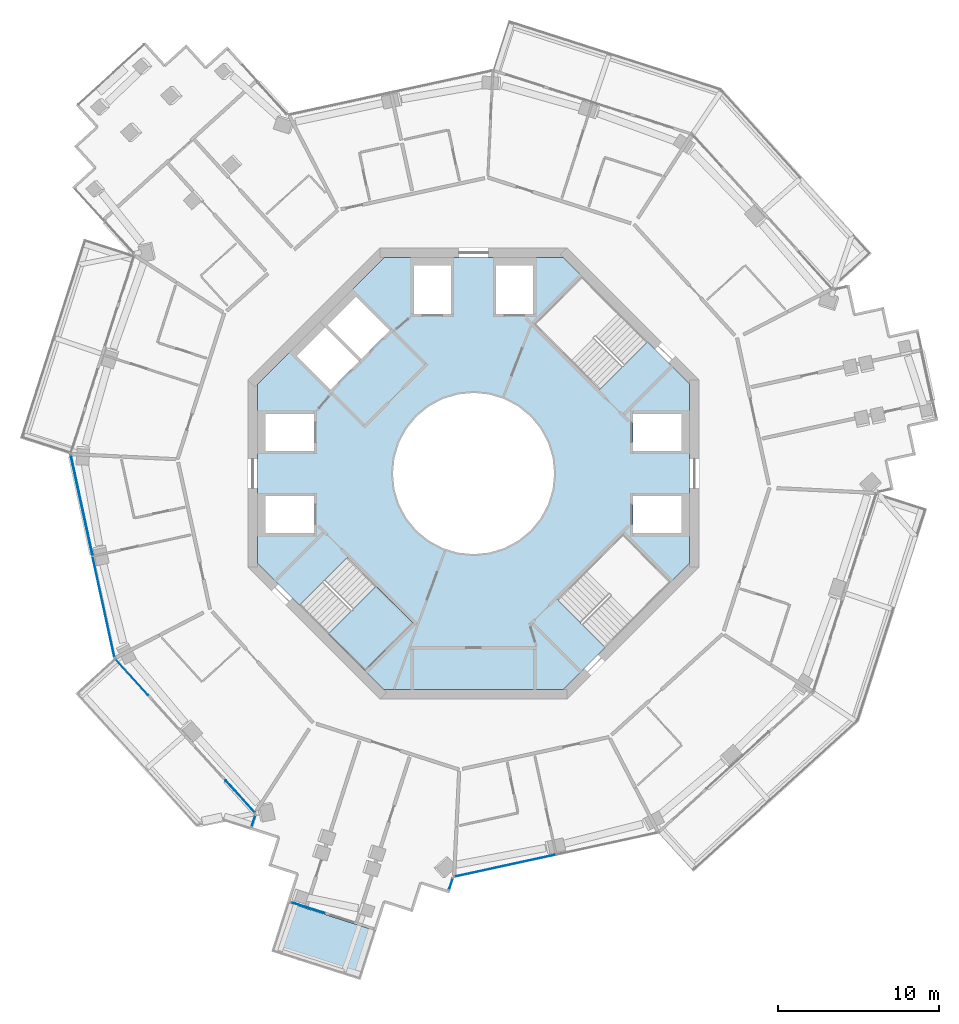
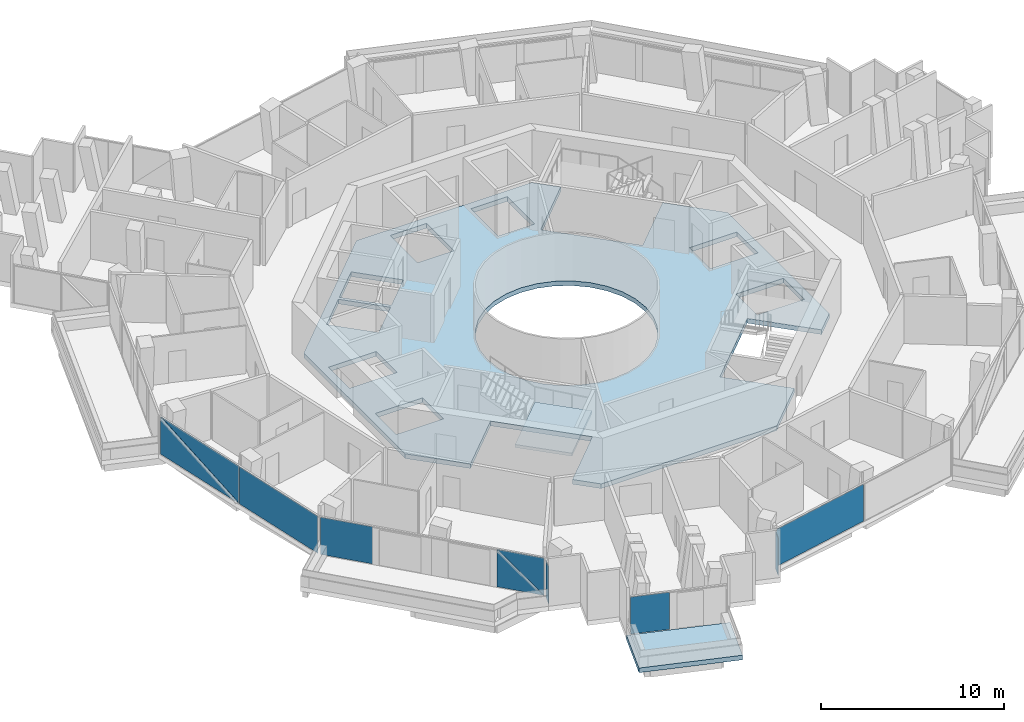
# One storey, part 11 of 23: 10 plates, 3 slabs, 7 elements without a shape of their own.
"""IFC4 building model written with IfcOpenShell, lengths in metres."""

from ifc_helpers import new_model, si_unit, direction, frame, origin, origin_2d, place, context, subcontext, project, spatial, polyline, rectangle, outline, extrude, material, layer, layer_set, type_object, element, aggregate, save


model = new_model("IFC4")

# Units and contexts
model_context = context("Model", 3, precision=1e-05, world=origin(), true_north=direction((0.0, 1.0)))
body_context = subcontext(model_context, "Body", "Model", "MODEL_VIEW")
ifc_project = project(units=[si_unit("LENGTHUNIT", "METRE"), si_unit("AREAUNIT", "SQUARE_METRE"), si_unit("VOLUMEUNIT", "CUBIC_METRE"), si_unit("PLANEANGLEUNIT", "RADIAN"), si_unit("MASSUNIT", "GRAM", prefix="KILO")], contexts=[model_context])

# Site, building, storey
site_placement = place(None, origin())
site = spatial("IfcSite", under=ifc_project, at=site_placement, CompositionType="ELEMENT")
building_placement = place(site_placement, origin())
building = spatial("IfcBuilding", under=site, at=building_placement, Name="Verdalira Terraces Hotel", CompositionType="ELEMENT")
storey_placement = place(building_placement, frame((0.0, 0.0, 205.5)))
storey = spatial("IfcBuildingStorey", under=building, at=storey_placement, Name="L50", CompositionType="ELEMENT", Elevation=205.5)

# Slab
ifc_material_1 = material(Name="Precast concrete C40/50", Category="concrete")
ifc_layer_1 = layer(ifc_material_1, 0.31005859375)
ifc_layer_set_1 = layer_set([ifc_layer_1], Name="Balcony deck 310")
slab_type_1 = type_object("IfcSlabType", Name="Balcony deck 310", PredefinedType="FLOOR", material=ifc_layer_set_1)
slab_1_placement = place(storey_placement, frame((0.0, 0.0, -0.310059)))
element("IfcSlab", 1, at=slab_1_placement, inside=storey, type_object=slab_type_1, Name="Balcony deck", PredefinedType="FLOOR", context=body_context, shape_type="SweptSolid", body=[
    extrude(outline(polyline([(-7.01709, -31.415039), (-6.040771, -28.367676), (-11.564453, -26.598389), (-12.540527, -29.645996), (-7.01709, -31.415039)])), origin(), (0.0, 0.0, 1.0), 0.310059),
])

# Curtain wall, plates
ifc_material_2 = material(Name="Clear glass", Category="glass")
ifc_layer_2 = layer(ifc_material_2, 0.14990234375)
ifc_layer_set_2 = layer_set([ifc_layer_2], Name="CW1 curtain wall")
curtain_wall_type_1 = type_object("IfcCurtainWallType", Name="CW1 curtain wall", PredefinedType="NOTDEFINED", material=ifc_layer_set_2)
curtain_wall_1_placement = place(storey_placement, origin())
curtain_wall_1 = element("IfcCurtainWall", 2, at=curtain_wall_1_placement, inside=storey, type_object=curtain_wall_type_1, Name="CW1 curtain wall L50 edge 12", PredefinedType="NOTDEFINED")
ifc_material_3 = material(Name="Clear glass", Category="glass")
ifc_layer_3 = layer(ifc_material_3, 0.028076171875)
ifc_layer_set_3 = layer_set([ifc_layer_3], Name="CW1 glass unit 28")
plate_type_1 = type_object("IfcPlateType", Name="CW1 glass unit 28", PredefinedType="CURTAIN_PANEL", material=ifc_layer_set_3)
plate_1_placement = place(storey_placement, frame((-24.301514, -1.982178, 1.237549), z_axis=(-0.977268124, -0.21200711, 0.0), x_axis=(0.21200711, -0.977268124, 0.0)))
plate_1 = element("IfcPlate", 3, at=plate_1_placement, type_object=plate_type_1, Name="CW1 glass unit", PredefinedType="CURTAIN_PANEL", context=body_context, shape_type="SweptSolid", body=[
    extrude(outline(polyline([(-3.185059, -1.237549), (3.185059, -1.237549), (-3.185059, 1.237549), (-3.185059, -1.237549)])), origin(), (0.0, 0.0, 1.0), 0.028076),
])
plate_2_placement = place(storey_placement, frame((-24.273193, -1.976074, 1.237549), z_axis=(-0.977268124, -0.21200711, 0.0), x_axis=(0.21200711, -0.977268124, 0.0)))
plate_2 = element("IfcPlate", 4, at=plate_2_placement, type_object=plate_type_1, Name="CW1 glass unit", PredefinedType="CURTAIN_PANEL", context=body_context, shape_type="SweptSolid", body=[
    extrude(outline(polyline([(3.185059, -1.237549), (3.185059, 1.237549), (-3.185059, 1.237549), (3.185059, -1.237549)])), origin(), (0.0, 0.0, 1.0), 0.028076),
])
plate_3_placement = place(storey_placement, frame((-22.951904, -8.268799, 0.0), z_axis=(0.0, 0.0, 1.0), x_axis=(0.21200711, -0.977268124, 0.0)))
plate_3 = element("IfcPlate", 5, at=plate_3_placement, type_object=plate_type_1, Name="CW1 glass unit", PredefinedType="CURTAIN_PANEL", context=body_context, shape_type="SweptSolid", body=[
    extrude(rectangle(XDim=6.369873, YDim=0.028076, at=origin_2d()), origin(), (0.0, 0.0, 1.0), 2.475098),
])
aggregate(curtain_wall_1, [plate_1, plate_2, plate_3])

curtain_wall_2_placement = place(storey_placement, origin())
curtain_wall_2 = element("IfcCurtainWall", 6, at=curtain_wall_2_placement, inside=storey, type_object=curtain_wall_type_1, Name="CW1 curtain wall L50 edge 13", PredefinedType="NOTDEFINED")
plate_4_placement = place(storey_placement, frame((-21.197754, -12.629395, 0.0), z_axis=(0.0, 0.0, 1.0), x_axis=(0.672237605, -0.740335466, 0.0)))
plate_4 = element("IfcPlate", 7, at=plate_4_placement, type_object=plate_type_1, Name="CW1 glass unit", PredefinedType="CURTAIN_PANEL", context=body_context, shape_type="SweptSolid", body=[
    extrude(rectangle(XDim=2.999756, YDim=0.028076, at=origin_2d()), origin(), (0.0, 0.0, 1.0), 2.475098),
])
plate_5_placement = place(storey_placement, frame((-14.464355, -20.023682, 1.237549), z_axis=(-0.740335466, -0.672237605, 0.0), x_axis=(0.672237605, -0.740335466, 0.0)))
plate_5 = element("IfcPlate", 8, at=plate_5_placement, type_object=plate_type_1, Name="CW1 glass unit", PredefinedType="CURTAIN_PANEL", context=body_context, shape_type="SweptSolid", body=[
    extrude(outline(polyline([(-1.339355, -1.237549), (1.339355, -1.237549), (-1.339355, 1.237549), (-1.339355, -1.237549)])), origin(), (0.0, 0.0, 1.0), 0.028076),
])
plate_6_placement = place(storey_placement, frame((-14.442871, -20.00415, 1.237549), z_axis=(-0.740335466, -0.672237605, 0.0), x_axis=(0.672237605, -0.740335466, 0.0)))
plate_6 = element("IfcPlate", 9, at=plate_6_placement, type_object=plate_type_1, Name="CW1 glass unit", PredefinedType="CURTAIN_PANEL", context=body_context, shape_type="SweptSolid", body=[
    extrude(outline(polyline([(1.339355, -1.237549), (1.339355, 1.237549), (-1.339355, 1.237549), (1.339355, -1.237549)])), origin(), (0.0, 0.0, 1.0), 0.028076),
])
aggregate(curtain_wall_2, [plate_4, plate_5, plate_6])

# Curtain wall, plate
curtain_wall_3_placement = place(storey_placement, origin())
curtain_wall_3 = element("IfcCurtainWall", 10, at=curtain_wall_3_placement, inside=storey, type_object=curtain_wall_type_1, Name="CW1 curtain wall L50 edge 25", PredefinedType="NOTDEFINED")
plate_7_placement = place(storey_placement, frame((1.965576, -24.319336, 0.0), z_axis=(0.0, 0.0, 1.0), x_axis=(0.977268124, 0.21200711, 0.0)))
plate_7 = element("IfcPlate", 11, at=plate_7_placement, type_object=plate_type_1, Name="CW1 glass unit", PredefinedType="CURTAIN_PANEL", context=body_context, shape_type="SweptSolid", body=[
    extrude(rectangle(XDim=6.409912, YDim=0.028076, at=origin_2d()), origin(), (0.0, 0.0, 1.0), 2.475098),
])
aggregate(curtain_wall_3, [plate_7])

ifc_material_4 = material(Name="Clear glass", Category="glass")
ifc_layer_4 = layer(ifc_material_4, 0.14990234375)
ifc_layer_set_4 = layer_set([ifc_layer_4], Name="CW2 curtain wall")
curtain_wall_type_2 = type_object("IfcCurtainWallType", Name="CW2 curtain wall", PredefinedType="NOTDEFINED", material=ifc_layer_set_4)
curtain_wall_4_placement = place(storey_placement, origin())
curtain_wall_4 = element("IfcCurtainWall", 12, at=curtain_wall_4_placement, inside=storey, type_object=curtain_wall_type_2, Name="CW2 curtain wall L50 edge 14", PredefinedType="NOTDEFINED")
ifc_material_5 = material(Name="Clear glass", Category="glass")
ifc_layer_5 = layer(ifc_material_5, 0.031982421875)
ifc_layer_set_5 = layer_set([ifc_layer_5], Name="CW2 glass unit 32")
plate_type_2 = type_object("IfcPlateType", Name="CW2 glass unit 32", PredefinedType="CURTAIN_PANEL", material=ifc_layer_set_5)
plate_8_placement = place(storey_placement, frame((-13.647949, -21.547119, 0.0), z_axis=(0.0, 0.0, 1.0), x_axis=(-0.305030519, -0.952342576, 0.0)))
plate_8 = element("IfcPlate", 13, at=plate_8_placement, type_object=plate_type_2, Name="CW2 glass unit", PredefinedType="CURTAIN_PANEL", context=body_context, shape_type="SweptSolid", body=[
    extrude(rectangle(XDim=0.709961, YDim=0.031982, at=origin_2d()), origin(), (0.0, 0.0, 1.0), 2.475098),
])
aggregate(curtain_wall_4, [plate_8])

curtain_wall_5_placement = place(storey_placement, origin())
curtain_wall_5 = element("IfcCurtainWall", 14, at=curtain_wall_5_placement, inside=storey, type_object=curtain_wall_type_2, Name="CW2 curtain wall L50 edge 24", PredefinedType="NOTDEFINED")
plate_9_placement = place(storey_placement, frame((-1.4104, -25.466797, 0.0), z_axis=(0.0, 0.0, 1.0), x_axis=(0.305030519, 0.952342576, 0.0)))
plate_9 = element("IfcPlate", 15, at=plate_9_placement, type_object=plate_type_2, Name="CW2 glass unit", PredefinedType="CURTAIN_PANEL", context=body_context, shape_type="SweptSolid", body=[
    extrude(rectangle(XDim=0.709961, YDim=0.031982, at=origin_2d()), origin(), (0.0, 0.0, 1.0), 2.475098),
])
aggregate(curtain_wall_5, [plate_9])

ifc_material_6 = material(Name="Clear glass", Category="glass")
ifc_layer_6 = layer(ifc_material_6, 0.14990234375)
ifc_layer_set_6 = layer_set([ifc_layer_6], Name="CW3 curtain wall")
curtain_wall_type_3 = type_object("IfcCurtainWallType", Name="CW3 curtain wall", PredefinedType="NOTDEFINED", material=ifc_layer_set_6)
curtain_wall_6_placement = place(storey_placement, origin())
curtain_wall_6 = element("IfcCurtainWall", 16, at=curtain_wall_6_placement, inside=storey, type_object=curtain_wall_type_3, Name="CW3 curtain wall L50 edge 19", PredefinedType="NOTDEFINED")
ifc_material_7 = material(Name="Clear glass", Category="glass")
ifc_layer_7 = layer(ifc_material_7, 0.035888671875)
ifc_layer_set_7 = layer_set([ifc_layer_7], Name="CW3 glass unit 36")
plate_type_3 = type_object("IfcPlateType", Name="CW3 glass unit 36", PredefinedType="CURTAIN_PANEL", material=ifc_layer_set_7)
plate_10_placement = place(storey_placement, frame((-10.284424, -26.929688, 0.0), z_axis=(0.0, 0.0, 1.0), x_axis=(0.952342576, -0.305030519, 0.0)))
plate_10 = element("IfcPlate", 17, at=plate_10_placement, type_object=plate_type_3, Name="CW3 glass unit", PredefinedType="CURTAIN_PANEL", context=body_context, shape_type="SweptSolid", body=[
    extrude(rectangle(XDim=2.179932, YDim=0.035889, at=origin_2d()), origin(), (0.0, 0.0, 1.0), 2.475098),
])
aggregate(curtain_wall_6, [plate_10])

# Slab
ifc_material_8 = material(Name="Concrete C40", Category="concrete")
ifc_layer_8 = layer(ifc_material_8, 0.31005859375)
ifc_layer_set_8 = layer_set([ifc_layer_8], Name="Core floor slab 310 mm")
slab_type_2 = type_object("IfcSlabType", Name="Core floor slab 310 mm", PredefinedType="FLOOR", material=ifc_layer_set_8)
slab_2_placement = place(storey_placement, frame((0.0, 0.0, -0.310059)))
element("IfcSlab", 18, at=slab_2_placement, inside=storey, type_object=slab_type_2, Name="L50 core floor", PredefinedType="FLOOR", context=body_context, shape_type="SweptSolid", body=[
    extrude(outline(polyline([(-6.703369, -12.24707), (-3.719482, -9.263184), (-7.799072, -5.18335), (-10.782959, -8.16748), (-13.399902, -5.550537), (-13.399902, 5.550537), (-5.550537, 13.399902), (5.550537, 13.399902), (6.703369, 12.24707), (3.719482, 9.263184), (7.799072, 5.18335), (10.782959, 8.16748), (13.399902, 5.550537), (13.399902, -5.550537), (12.24707, -6.703369), (9.263184, -3.719482), (5.18335, -7.799072), (8.16748, -10.782959), (5.550537, -13.399902), (-5.550537, -13.399902), (-6.703369, -12.24707)]), holes=[polyline([(9.899902, -1.399902), (9.899902, -3.699951), (12.899902, -3.699951), (12.899902, -1.399902), (9.899902, -1.399902)]), polyline([(9.899902, 3.699951), (9.899902, 1.399902), (12.899902, 1.399902), (12.899902, 3.699951), (9.899902, 3.699951)]), polyline([(3.699951, 12.899902), (1.399902, 12.899902), (1.399902, 9.899902), (3.699951, 9.899902), (3.699951, 12.899902)]), polyline([(-1.399902, 12.899902), (-3.699951, 12.899902), (-3.699951, 9.899902), (-1.399902, 9.899902), (-1.399902, 12.899902)]), polyline([(-9.899902, 1.399902), (-9.899902, 3.699951), (-12.899902, 3.699951), (-12.899902, 1.399902), (-9.899902, 1.399902)]), polyline([(-9.899902, -3.699951), (-9.899902, -1.399902), (-12.899902, -1.399902), (-12.899902, -3.699951), (-9.899902, -3.699951)]), polyline([(-9.051025, 9.192383), (-6.965088, 7.106445), (-5.197266, 8.874268), (-7.283203, 10.960205), (-9.051025, 9.192383)]), polyline([(-9.192383, 9.051025), (-10.960205, 7.283203), (-8.874268, 5.197266), (-7.106445, 6.965088), (-9.192383, 9.051025)]), polyline([(3.5354, 3.5354), (2.777832, 4.157227), (1.91333, 4.619385), (0.975586, 4.903809), (0.0, 5.0), (-0.975586, 4.903809), (-1.91333, 4.619385), (-2.777832, 4.157227), (-3.5354, 3.5354), (-4.157227, 2.777832), (-4.619385, 1.91333), (-4.903809, 0.975586), (-5.0, 0.0), (-4.903809, -0.975586), (-4.619385, -1.91333), (-4.157227, -2.777832), (-3.5354, -3.5354), (-2.777832, -4.157227), (-1.91333, -4.619385), (-0.975586, -4.903809), (0.0, -5.0), (0.975586, -4.903809), (1.91333, -4.619385), (2.777832, -4.157227), (3.5354, -3.5354), (4.157227, -2.777832), (4.619385, -1.91333), (4.903809, -0.975586), (5.0, 0.0), (4.903809, 0.975586), (4.619385, 1.91333), (4.157227, 2.777832), (3.5354, 3.5354)])]), origin(), (0.0, 0.0, 1.0), 0.310059),
])

# Stair, slab
ifc_material_9 = material(Name="Concrete C40", Category="concrete")
stair_type = type_object("IfcStairType", Name="Core stair 20 risers 2050 mm wide", PredefinedType="HALF_TURN_STAIR", material=ifc_material_9)
stair_placement = place(storey_placement, origin())
stair = element("IfcStair", 19, at=stair_placement, inside=storey, type_object=stair_type, Name="L50 Exit stair ST2", PredefinedType="HALF_TURN_STAIR")
ifc_material_10 = material(Name="Concrete C40", Category="concrete")
ifc_layer_9 = layer(ifc_material_10, 0.199951171875)
ifc_layer_set_9 = layer_set([ifc_layer_9], Name="Core stair landing 200 mm")
slab_type_3 = type_object("IfcSlabType", Name="Core stair landing 200 mm", PredefinedType="LANDING", material=ifc_layer_set_9)
slab_3_placement = place(storey_placement, frame((0.0, 0.0, 1.550049)))
slab_3 = element("IfcSlab", 20, at=slab_3_placement, type_object=slab_type_3, Name="ST2 landing 1", PredefinedType="LANDING", context=body_context, shape_type="SweptSolid", body=[
    extrude(outline(polyline([(-9.001709, -9.94873), (-6.717529, -12.23291), (-3.747559, -9.263184), (-6.031982, -6.97876), (-9.001709, -9.94873)])), origin(), (0.0, 0.0, 1.0), 0.199951),
])
aggregate(stair, [slab_3])

save(model, "model.ifc")
